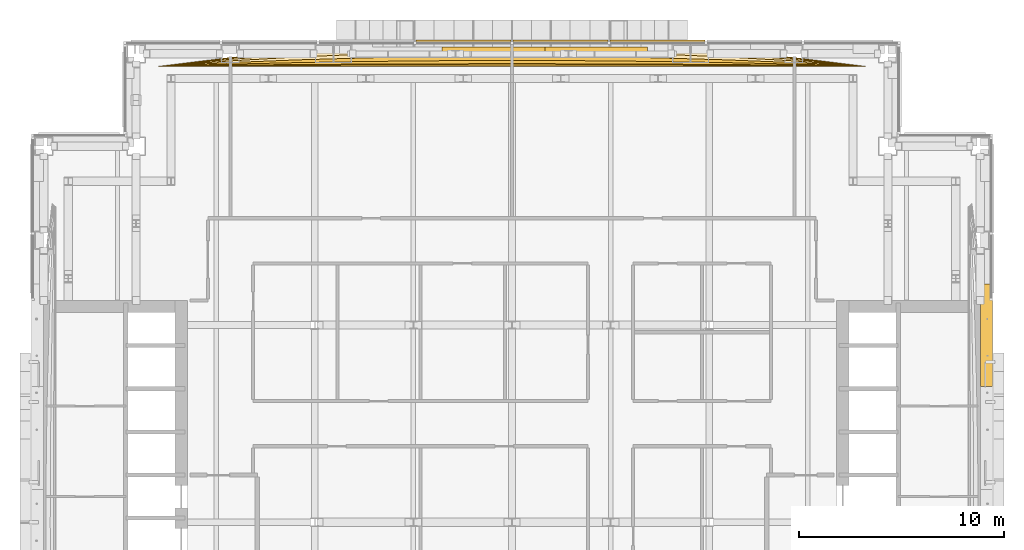
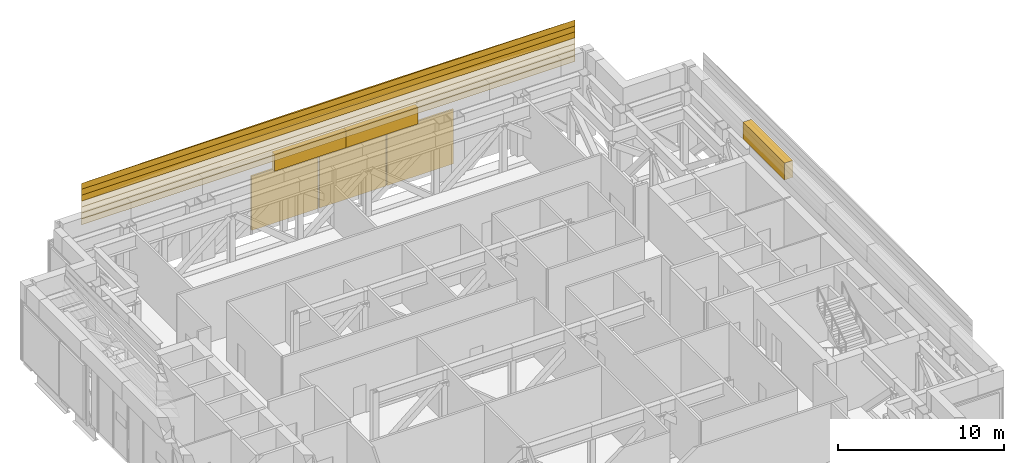
# One storey, part 36 of 38: 13 coverings.
"""IFC4 building model written with IfcOpenShell, lengths in metres."""

from ifc_helpers import new_model, si_unit, direction, frame, origin, origin_2d, place, context, subcontext, project, spatial, polyline, rectangle, outline, extrude, material, type_object, element, save


model = new_model("IFC4")

# Units and contexts
model_context = context("Model", 3, precision=1e-05, world=origin(), true_north=direction((0.0, 1.0)))
body_context = subcontext(model_context, "Body", "Model", "MODEL_VIEW")
ifc_project = project(units=[si_unit("LENGTHUNIT", "METRE"), si_unit("AREAUNIT", "SQUARE_METRE"), si_unit("VOLUMEUNIT", "CUBIC_METRE"), si_unit("PLANEANGLEUNIT", "RADIAN"), si_unit("MASSUNIT", "GRAM", prefix="KILO")], contexts=[model_context])

# Site, building, storey
site_placement = place(None, origin())
site = spatial("IfcSite", under=ifc_project, at=site_placement, CompositionType="ELEMENT")
building_placement = place(site_placement, origin())
building = spatial("IfcBuilding", under=site, at=building_placement, Name="Cobrizo Arcos Hotel Tower", CompositionType="ELEMENT")
storey_placement = place(building_placement, frame((0.0, 0.0, 138.0)))
storey = spatial("IfcBuildingStorey", under=building, at=storey_placement, Name="L35", CompositionType="ELEMENT", Elevation=138.0)

# Coverings
ifc_material_1 = material(Name="Aluminium 6063-T6 anodised pale", Category="aluminium")
covering_type_1 = type_object("IfcCoveringType", Name="LF-1 setback skirt", PredefinedType="CLADDING", material=ifc_material_1)
covering_1_placement = place(storey_placement, frame((0.0, 0.0, 4.5)))
element("IfcCovering", 1, at=covering_1_placement, inside=storey, type_object=covering_type_1, Name="Setback skirt L35", PredefinedType="CLADDING", context=body_context, shape_type="SweptSolid", body=[
    extrude(outline(polyline([(1.60009765625, 23.130615234375), (-3.39990234375, 23.130615234375), (-3.39990234375, 22.800048828125), (1.60009765625, 22.800048828125), (1.60009765625, 23.130615234375)])), origin(), (0.0, 0.0, 1.0), 1.25),
])
covering_2_placement = place(storey_placement, frame((0.0, 0.0, 4.5)))
element("IfcCovering", 2, at=covering_2_placement, inside=storey, type_object=covering_type_1, Name="Setback skirt L35", PredefinedType="CLADDING", context=body_context, shape_type="SweptSolid", body=[
    extrude(outline(polyline([(6.60009765625, 23.130615234375), (1.60009765625, 23.130615234375), (1.60009765625, 22.800048828125), (6.60009765625, 22.800048828125), (6.60009765625, 23.130615234375)])), origin(), (0.0, 0.0, 1.0), 1.25),
])
covering_3_placement = place(storey_placement, frame((0.0, 0.0, 4.5)))
element("IfcCovering", 3, at=covering_3_placement, inside=storey, type_object=covering_type_1, Name="Setback skirt L35", PredefinedType="CLADDING", context=body_context, shape_type="SweptSolid", body=[
    extrude(outline(polyline([(22.81005859375, 11.60009765625), (22.81005859375, 6.60009765625), (23.39990234375, 6.60009765625), (23.39990234375, 11.60009765625), (22.81005859375, 11.60009765625)])), origin(), (0.0, 0.0, 1.0), 1.25),
])
covering_type_2 = type_object("IfcCoveringType", Name="LF-2 setback roll course", PredefinedType="CLADDING", material=ifc_material_1)
covering_4_placement = place(storey_placement, frame((0.0, 0.0, 5.75)))
element("IfcCovering", 4, at=covering_4_placement, inside=storey, type_object=covering_type_2, Name="Setback roll L35 N", PredefinedType="CLADDING", context=body_context, shape_type="SweptSolid", body=[
    extrude(outline(polyline([(-17.199951171875, 22.199951171875), (-13.760009765625, 22.627197265625), (-10.320068359375, 22.95947265625), (-6.8798828125, 23.19677734375), (-3.43994140625, 23.339111328125), (0.0, 23.386474609375), (3.43994140625, 23.339111328125), (6.8798828125, 23.19677734375), (10.320068359375, 22.95947265625), (13.760009765625, 22.627197265625), (17.199951171875, 22.199951171875), (-17.199951171875, 22.199951171875)])), origin(), (0.0, 0.0, 1.0), 0.4375),
])
covering_5_placement = place(storey_placement, frame((0.0, 0.0, 6.1875)))
element("IfcCovering", 5, at=covering_5_placement, inside=storey, type_object=covering_type_2, Name="Setback roll L35 N", PredefinedType="CLADDING", context=body_context, shape_type="SweptSolid", body=[
    extrude(outline(polyline([(-17.199951171875, 22.199951171875), (-13.760009765625, 22.592041015625), (-10.320068359375, 22.897216796875), (-6.8798828125, 23.114990234375), (-3.43994140625, 23.24560546875), (0.0, 23.289306640625), (3.43994140625, 23.24560546875), (6.8798828125, 23.114990234375), (10.320068359375, 22.897216796875), (13.760009765625, 22.592041015625), (17.199951171875, 22.199951171875), (-17.199951171875, 22.199951171875)])), origin(), (0.0, 0.0, 1.0), 0.4375),
])
covering_6_placement = place(storey_placement, frame((0.0, 0.0, 6.625)))
element("IfcCovering", 6, at=covering_6_placement, inside=storey, type_object=covering_type_2, Name="Setback roll L35 N", PredefinedType="CLADDING", context=body_context, shape_type="SweptSolid", body=[
    extrude(outline(polyline([(-17.199951171875, 22.199951171875), (-13.760009765625, 22.53173828125), (-10.320068359375, 22.789794921875), (-6.8798828125, 22.97412109375), (-3.43994140625, 23.084716796875), (0.0, 23.12158203125), (3.43994140625, 23.084716796875), (6.8798828125, 22.97412109375), (10.320068359375, 22.789794921875), (13.760009765625, 22.53173828125), (17.199951171875, 22.199951171875), (-17.199951171875, 22.199951171875)])), origin(), (0.0, 0.0, 1.0), 0.4375),
])
covering_7_placement = place(storey_placement, frame((0.0, 0.0, 7.0625)))
element("IfcCovering", 7, at=covering_7_placement, inside=storey, type_object=covering_type_2, Name="Setback roll L35 N", PredefinedType="CLADDING", context=body_context, shape_type="SweptSolid", body=[
    extrude(outline(polyline([(-17.199951171875, 22.199951171875), (-13.760009765625, 22.456298828125), (-10.320068359375, 22.655517578125), (-6.8798828125, 22.798095703125), (-3.43994140625, 22.88330078125), (0.0, 22.911865234375), (3.43994140625, 22.88330078125), (6.8798828125, 22.798095703125), (10.320068359375, 22.655517578125), (13.760009765625, 22.456298828125), (17.199951171875, 22.199951171875), (-17.199951171875, 22.199951171875)])), origin(), (0.0, 0.0, 1.0), 0.4375),
])
covering_8_placement = place(storey_placement, frame((0.0, 0.0, 7.5)))
element("IfcCovering", 8, at=covering_8_placement, inside=storey, type_object=covering_type_2, Name="Setback roll L35 N", PredefinedType="CLADDING", context=body_context, shape_type="SweptSolid", body=[
    extrude(outline(polyline([(-17.199951171875, 22.199951171875), (-13.760009765625, 22.375732421875), (-10.320068359375, 22.512451171875), (-6.8798828125, 22.610107421875), (-3.43994140625, 22.668701171875), (0.0, 22.68798828125), (3.43994140625, 22.668701171875), (6.8798828125, 22.610107421875), (10.320068359375, 22.512451171875), (13.760009765625, 22.375732421875), (17.199951171875, 22.199951171875), (-17.199951171875, 22.199951171875)])), origin(), (0.0, 0.0, 1.0), 0.4375),
])
covering_9_placement = place(storey_placement, frame((0.0, 0.0, 7.9375)))
element("IfcCovering", 9, at=covering_9_placement, inside=storey, type_object=covering_type_2, Name="Setback roll L35 N", PredefinedType="CLADDING", context=body_context, shape_type="SweptSolid", body=[
    extrude(outline(polyline([(-17.199951171875, 22.199951171875), (-13.760009765625, 22.30029296875), (-10.320068359375, 22.378173828125), (-6.8798828125, 22.433837890625), (-3.43994140625, 22.46728515625), (0.0, 22.478271484375), (3.43994140625, 22.46728515625), (6.8798828125, 22.433837890625), (10.320068359375, 22.378173828125), (13.760009765625, 22.30029296875), (17.199951171875, 22.199951171875), (-17.199951171875, 22.199951171875)])), origin(), (0.0, 0.0, 1.0), 0.4375),
])
covering_10_placement = place(storey_placement, frame((0.0, 0.0, 8.375)))
element("IfcCovering", 10, at=covering_10_placement, inside=storey, type_object=covering_type_2, Name="Setback roll L35 N", PredefinedType="CLADDING", context=body_context, shape_type="SweptSolid", body=[
    extrude(outline(polyline([(-17.199951171875, 22.199951171875), (-13.760009765625, 22.239990234375), (-10.320068359375, 22.27099609375), (-6.8798828125, 22.29296875), (-3.43994140625, 22.306396484375), (0.0, 22.310791015625), (3.43994140625, 22.306396484375), (6.8798828125, 22.29296875), (10.320068359375, 22.27099609375), (13.760009765625, 22.239990234375), (17.199951171875, 22.199951171875), (-17.199951171875, 22.199951171875)])), origin(), (0.0, 0.0, 1.0), 0.4375),
])
ifc_material_2 = material(Name="Aluminium 6063-T6 anodised bronze", Category="aluminium")
covering_type_3 = type_object("IfcCoveringType", Name="LV-1 plant louvre band", PredefinedType="CLADDING", material=ifc_material_2)
for number, where, z_axis, x_axis, name in (
    (11, (7.08740234375, 23.405029296875, 0.25), (0.0, 0.0, 1.0), (-1.0, 0.0, 0.0), "louvre band 1293"),
    (12, (2.362548828125, 23.405029296875, 0.25), (0.0, 0.0, 1.0), (-1.0, 0.0, 0.0), "louvre band 1294"),
    (13, (-2.362548828125, 23.405029296875, 0.25), (0.0, 0.0, 1.0), (-1.0, 0.0, 0.0), "louvre band 1295"),
):
    element("IfcCovering", number, at=place(storey_placement, frame(where, z_axis=z_axis, x_axis=x_axis)), inside=storey, type_object=covering_type_3, Name=name, PredefinedType="CLADDING", context=body_context, shape_type="SweptSolid", body=[
        extrude(rectangle(XDim=4.625, YDim=0.1201171875, at=origin_2d()), origin(), (0.0, 0.0, 1.0), 4.0),
    ])

save(model, "model.ifc")
